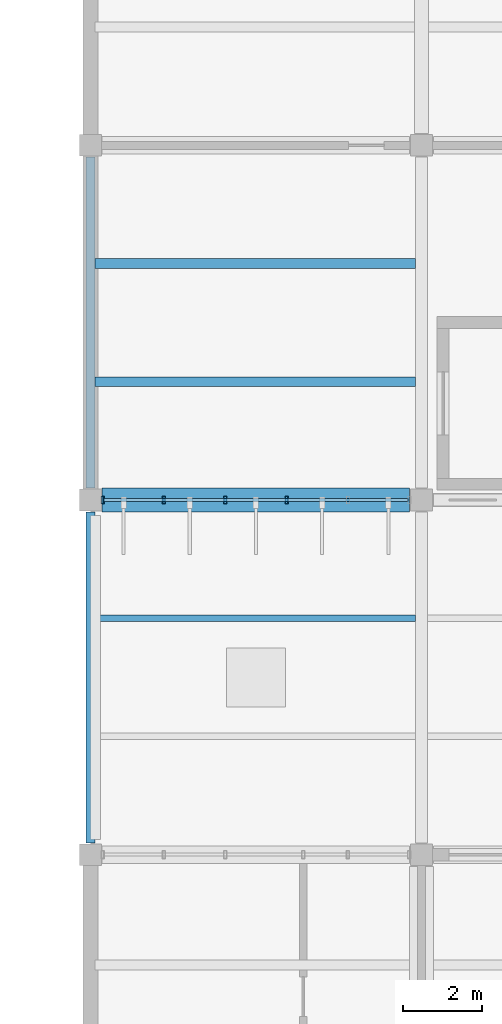
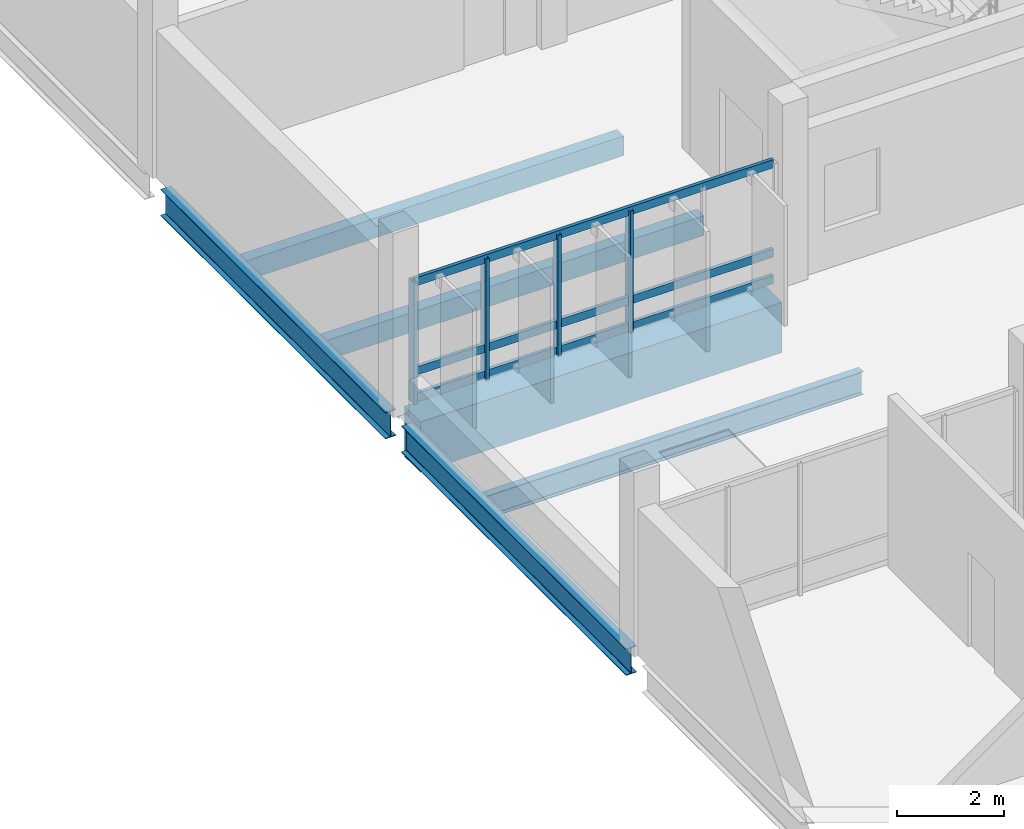
# One storey, part 55 of 130: 7 members, 6 beams, 1 element without a shape of its own.
"""IFC4 building model written with IfcOpenShell, lengths in metres."""

from ifc_helpers import new_model, si_unit, direction, frame, origin, origin_2d, place, context, subcontext, project, spatial, rectangle, hollow_rectangle, i_section, extrude, material, layer, layer_set, material_profile, profile_set, type_object, element, aggregate, save


model = new_model("IFC4")

# Units and contexts
model_context = context("Model", 3, precision=1e-05, world=origin(), true_north=direction((0.0, 1.0)))
body_context = subcontext(model_context, "Body", "Model", "MODEL_VIEW")
ifc_project = project(units=[si_unit("LENGTHUNIT", "METRE"), si_unit("AREAUNIT", "SQUARE_METRE"), si_unit("VOLUMEUNIT", "CUBIC_METRE"), si_unit("PLANEANGLEUNIT", "RADIAN"), si_unit("MASSUNIT", "GRAM", prefix="KILO")], contexts=[model_context])

# Site, building, storey
site_placement = place(None, origin())
site = spatial("IfcSite", under=ifc_project, at=site_placement, CompositionType="ELEMENT")
building_placement = place(site_placement, origin())
building = spatial("IfcBuilding", under=site, at=building_placement, Name="Vireocrest Preparatory School", CompositionType="ELEMENT")
storey_placement = place(building_placement, frame((0.0, 0.0, 9.0)))
storey = spatial("IfcBuildingStorey", under=building, at=storey_placement, Name="L02", CompositionType="ELEMENT", Elevation=9.0)

# Curtain wall, members
ifc_material_1 = material(Name="Thermally broken aluminium EN AW-6063-T6", Category="aluminium")
ifc_layer = layer(ifc_material_1, 0.179931640625)
ifc_layer_set = layer_set([ifc_layer], Name="Thermally broken aluminium EN AW-6063-T6")
curtain_wall_type = type_object("IfcCurtainWallType", Name="Teaching Fin Curtain Wall 8400x4200", PredefinedType="USERDEFINED", material=ifc_layer_set)
curtain_wall_placement = place(storey_placement, origin())
curtain_wall = element("IfcCurtainWall", 1, at=curtain_wall_placement, inside=storey, type_object=curtain_wall_type, Name="Curtain Wall CW03 CW_L02_CW03_0422_0948_090", ObjectType="CURTAIN WALL", PredefinedType="USERDEFINED")
ifc_material_profile_1 = material_profile(ifc_material_1, hollow_rectangle(XDim=0.074951171875, YDim=0.199951171875, WallThickness=0.0048828125, at=origin_2d()), Name="ALU 75x200x5")
ifc_profile_set_1 = profile_set([ifc_material_profile_1], Name="Thermally broken aluminium EN AW-6063-T6")
member_type_1 = type_object("IfcMemberType", Name="CW Mullion 75x200x5", PredefinedType="MULLION", material=ifc_profile_set_1)
member_1_placement = place(storey_placement, frame((42.31005859375, 94.800048828125, 0.0), z_axis=(0.0, 0.0, 1.0), x_axis=(1.0, 0.0, 0.0)))
member_1 = element("IfcMember", 2, at=member_1_placement, type_object=member_type_1, Name="CW Mullion ML3 CW_L02_CW03_0422_0948_090-1", PredefinedType="MULLION", context=body_context, shape_type="SweptSolid", body=[
    extrude(hollow_rectangle(XDim=0.074951171875, YDim=0.199951171875, WallThickness=0.0048828125, at=origin_2d()), origin(), (0.0, 0.0, 1.0), 2.77490234375),
])
member_2_placement = place(storey_placement, frame((43.865966796875, 94.800048828125, 0.0), z_axis=(0.0, 0.0, 1.0), x_axis=(1.0, 0.0, 0.0)))
member_2 = element("IfcMember", 3, at=member_2_placement, type_object=member_type_1, Name="CW Mullion ML3 CW_L02_CW03_0422_0948_090-2", PredefinedType="MULLION", context=body_context, shape_type="SweptSolid", body=[
    extrude(hollow_rectangle(XDim=0.074951171875, YDim=0.199951171875, WallThickness=0.0048828125, at=origin_2d()), origin(), (0.0, 0.0, 1.0), 2.77490234375),
])
member_3_placement = place(storey_placement, frame((45.422119140625, 94.800048828125, 0.0), z_axis=(0.0, 0.0, 1.0), x_axis=(1.0, 0.0, 0.0)))
member_3 = element("IfcMember", 4, at=member_3_placement, type_object=member_type_1, Name="CW Mullion ML3 CW_L02_CW03_0422_0948_090-3", PredefinedType="MULLION", context=body_context, shape_type="SweptSolid", body=[
    extrude(hollow_rectangle(XDim=0.074951171875, YDim=0.199951171875, WallThickness=0.0048828125, at=origin_2d()), origin(), (0.0, 0.0, 1.0), 2.77490234375),
])
member_4_placement = place(storey_placement, frame((46.97802734375, 94.800048828125, 0.0), z_axis=(0.0, 0.0, 1.0), x_axis=(1.0, 0.0, 0.0)))
member_4 = element("IfcMember", 5, at=member_4_placement, type_object=member_type_1, Name="CW Mullion ML3 CW_L02_CW03_0422_0948_090-4", PredefinedType="MULLION", context=body_context, shape_type="SweptSolid", body=[
    extrude(hollow_rectangle(XDim=0.074951171875, YDim=0.199951171875, WallThickness=0.0048828125, at=origin_2d()), origin(), (0.0, 0.0, 1.0), 2.77490234375),
])
ifc_material_profile_2 = material_profile(ifc_material_1, hollow_rectangle(XDim=0.074951171875, YDim=0.18994140625, WallThickness=0.00390625, at=origin_2d()), Name="ALU 75x190x4")
ifc_profile_set_2 = profile_set([ifc_material_profile_2], Name="Thermally broken aluminium EN AW-6063-T6")
member_type_2 = type_object("IfcMemberType", Name="CW Transom 75x190x4", PredefinedType="USERDEFINED", material=ifc_profile_set_2)
member_5_placement = place(storey_placement, frame((42.3349609375, 94.800048828125, 0.094970703125), z_axis=(1.0, 0.0, 0.0), x_axis=(0.0, 1.0, 0.0)))
member_5 = element("IfcMember", 6, at=member_5_placement, type_object=member_type_2, Name="CW Transom TR3 CW_L02_CW03_0422_0948_090-1", ObjectType="TRANSOM", PredefinedType="USERDEFINED", context=body_context, shape_type="SweptSolid", body=[
    extrude(hollow_rectangle(XDim=0.074951171875, YDim=0.18994140625, WallThickness=0.00390625, at=origin_2d()), origin(), (0.0, 0.0, 1.0), 7.72998046875),
])
member_6_placement = place(storey_placement, frame((42.3349609375, 94.800048828125, 0.699951171875), z_axis=(1.0, 0.0, 0.0), x_axis=(0.0, 1.0, 0.0)))
member_6 = element("IfcMember", 7, at=member_6_placement, type_object=member_type_2, Name="CW Transom TR3 CW_L02_CW03_0422_0948_090-2", ObjectType="TRANSOM", PredefinedType="USERDEFINED", context=body_context, shape_type="SweptSolid", body=[
    extrude(hollow_rectangle(XDim=0.074951171875, YDim=0.18994140625, WallThickness=0.00390625, at=origin_2d()), origin(), (0.0, 0.0, 1.0), 7.72998046875),
])
member_7_placement = place(storey_placement, frame((42.3349609375, 94.800048828125, 2.735107421875), z_axis=(1.0, 0.0, 0.0), x_axis=(0.0, 1.0, 0.0)))
member_7 = element("IfcMember", 8, at=member_7_placement, type_object=member_type_2, Name="CW Transom TR3 CW_L02_CW03_0422_0948_090-3", ObjectType="TRANSOM", PredefinedType="USERDEFINED", context=body_context, shape_type="SweptSolid", body=[
    extrude(hollow_rectangle(XDim=0.074951171875, YDim=0.18994140625, WallThickness=0.00390625, at=origin_2d()), origin(), (0.0, 0.0, 1.0), 7.72998046875),
])
aggregate(curtain_wall, [member_1, member_2, member_3, member_4, member_5, member_6, member_7])

# Beams
ifc_material_2 = material(Name="Structural steel ASTM A992 Grade 50", Category="steel")
ifc_material_profile_3 = material_profile(ifc_material_2, i_section(OverallWidth=0.22802734375, OverallDepth=0.60791015625, WebThickness=0.01123046875, FlangeThickness=0.017333984375, FilletRadius=0.01611328125, at=origin_2d()), Name="W24X76")
ifc_profile_set_3 = profile_set([ifc_material_profile_3], Name="Structural steel ASTM A992 Grade 50")
beam_type_1 = type_object("IfcBeamType", Name="Gallery Steel Girder W24X76", PredefinedType="BEAM", material=ifc_profile_set_3)
for number, where, z_axis, x_axis, name in (
    (9, (42.0, 86.10009765625, -0.52392578125), (0.0, 1.0, 0.0), (-1.0, 0.0, 0.0), "Primary Girder SB3 L02-0795"),
    (10, (42.0, 95.10009765625, -0.583984375), (0.0, 1.0, 0.0), (-1.0, 0.0, 0.0), "Primary Girder SB3 L02-0796"),
):
    element("IfcBeam", number, at=place(storey_placement, frame(where, z_axis=z_axis, x_axis=x_axis)), inside=storey, type_object=beam_type_1, Name=name, PredefinedType="BEAM", context=body_context, shape_type="SweptSolid", body=[
        extrude(i_section(OverallWidth=0.22802734375, OverallDepth=0.60791015625, WebThickness=0.01123046875, FlangeThickness=0.017333984375, FilletRadius=0.01611328125, at=origin_2d()), origin(), (0.0, 0.0, 1.0), 8.39990234375),
    ])
ifc_material_profile_4 = material_profile(ifc_material_2, i_section(OverallWidth=0.166015625, OverallDepth=0.529052734375, WebThickness=0.009765625, FlangeThickness=0.013671875, FilletRadius=0.014892578125, at=origin_2d()), Name="W21X50")
ifc_profile_set_4 = profile_set([ifc_material_profile_4], Name="Structural steel ASTM A992 Grade 50")
beam_type_2 = type_object("IfcBeamType", Name="Pavilion Roof Joist W21X50", PredefinedType="JOIST", material=ifc_profile_set_4)
beam_1_placement = place(storey_placement, frame((42.114013671875, 91.800048828125, -0.484619140625), z_axis=(1.0, 0.0, 0.0), x_axis=(0.0, 1.0, 0.0)))
element("IfcBeam", 11, at=beam_1_placement, inside=storey, type_object=beam_type_2, Name="Secondary Joist SJ1 L02-0905", PredefinedType="JOIST", context=body_context, shape_type="SweptSolid", body=[
    extrude(i_section(OverallWidth=0.166015625, OverallDepth=0.529052734375, WebThickness=0.009765625, FlangeThickness=0.013671875, FilletRadius=0.014892578125, at=origin_2d()), origin(), (0.0, 0.0, 1.0), 8.135986328125),
])
ifc_material_3 = material(Name="Concrete 40 MPa", Category="concrete")
ifc_material_profile_5 = material_profile(ifc_material_3, rectangle(XDim=0.60009765625, YDim=1.14990234375, at=origin_2d()), Name="RC 600x1150")
ifc_profile_set_5 = profile_set([ifc_material_profile_5], Name="Concrete 40 MPa")
beam_type_3 = type_object("IfcBeamType", Name="RC Heavy Transfer Girder 600x1150", PredefinedType="BEAM", material=ifc_profile_set_5)
beam_2_placement = place(storey_placement, frame((42.300048828125, 94.800048828125, -0.85498046875), z_axis=(1.0, 0.0, 0.0), x_axis=(0.0, 1.0, 0.0)))
element("IfcBeam", 12, at=beam_2_placement, inside=storey, type_object=beam_type_3, Name="Primary Girder B20 L02-0756", PredefinedType="BEAM", context=body_context, shape_type="SweptSolid", body=[
    extrude(rectangle(XDim=0.60009765625, YDim=1.14990234375, at=origin_2d()), origin(), (0.0, 0.0, 1.0), 7.800048828125),
])
ifc_material_profile_6 = material_profile(ifc_material_3, rectangle(XDim=0.25, YDim=0.449951171875, at=origin_2d()), Name="RC 250x450")
ifc_profile_set_6 = profile_set([ifc_material_profile_6], Name="Concrete 40 MPa")
beam_type_4 = type_object("IfcBeamType", Name="RC Secondary Floor Joist 250x450", PredefinedType="JOIST", material=ifc_profile_set_6)
for number, where, z_axis, x_axis, name in (
    (13, (42.114013671875, 97.800048828125, -0.5048828125), (1.0, 0.0, 0.0), (0.0, 1.0, 0.0), "Secondary Joist J01 L02-0906"),
    (14, (42.114013671875, 100.800048828125, -0.5048828125), (1.0, 0.0, 0.0), (0.0, 1.0, 0.0), "Secondary Joist J01 L02-0907"),
):
    element("IfcBeam", number, at=place(storey_placement, frame(where, z_axis=z_axis, x_axis=x_axis)), inside=storey, type_object=beam_type_4, Name=name, PredefinedType="JOIST", context=body_context, shape_type="SweptSolid", body=[
        extrude(rectangle(XDim=0.25, YDim=0.449951171875, at=origin_2d()), origin(), (0.0, 0.0, 1.0), 8.135986328125),
    ])

save(model, "model.ifc")
